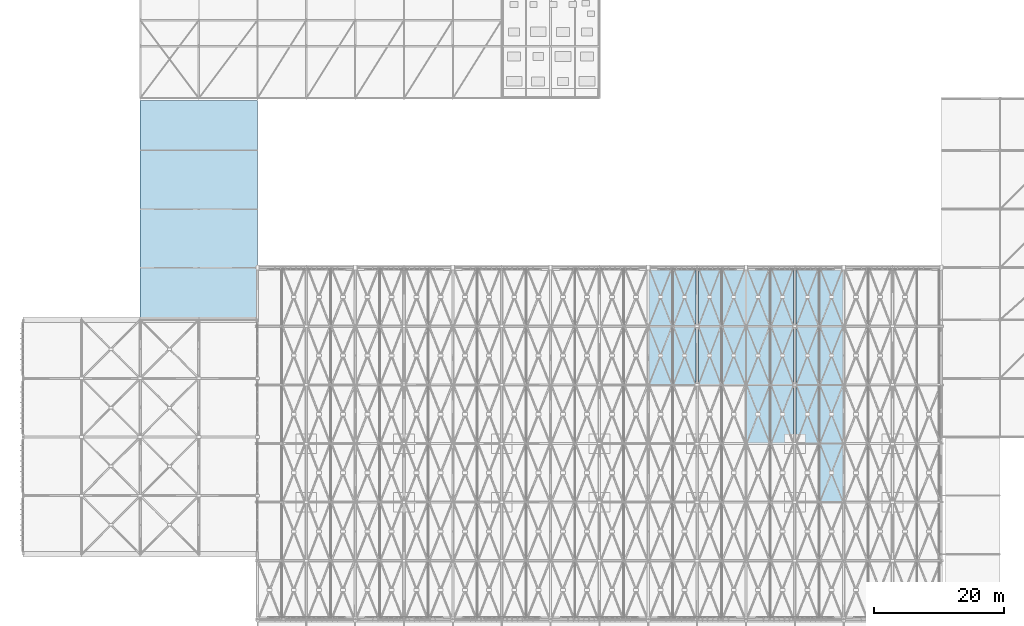
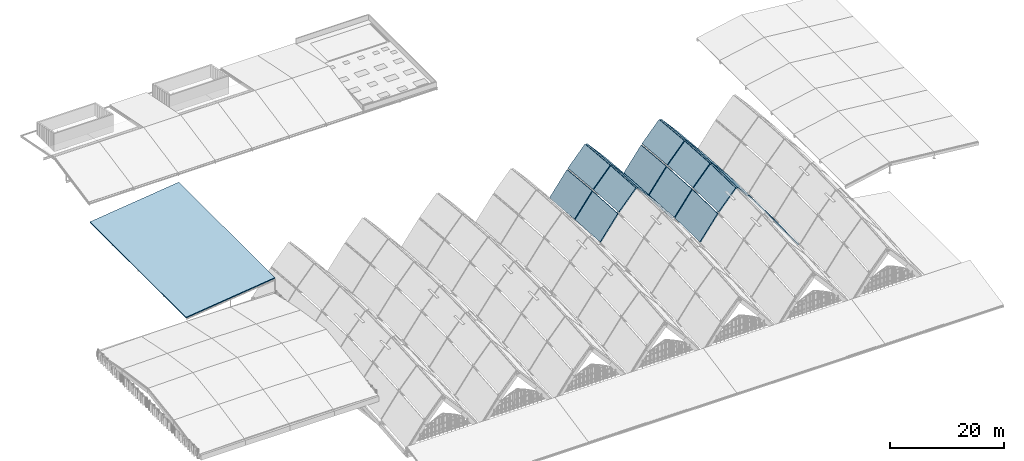
# One storey, part 61 of 93: 22 slabs, 1 element without a shape of its own.
"""IFC4 building model written with IfcOpenShell, lengths in metres."""

from ifc_helpers import new_model, si_unit, direction, frame, origin, place, context, subcontext, project, spatial, polyline, outline, extrude, material, layer, layer_set, type_object, element, aggregate, save


model = new_model("IFC4")

# Units and contexts
model_context = context("Model", 3, precision=1e-05, world=origin(), true_north=direction((0.0, 1.0)))
body_context = subcontext(model_context, "Body", "Model", "MODEL_VIEW")
ifc_project = project(units=[si_unit("LENGTHUNIT", "METRE"), si_unit("AREAUNIT", "SQUARE_METRE"), si_unit("VOLUMEUNIT", "CUBIC_METRE"), si_unit("PLANEANGLEUNIT", "RADIAN"), si_unit("MASSUNIT", "GRAM", prefix="KILO")], contexts=[model_context])

# Site, building, storey
site_placement = place(None, origin())
site = spatial("IfcSite", under=ifc_project, at=site_placement, CompositionType="ELEMENT")
building_placement = place(site_placement, origin())
building = spatial("IfcBuilding", under=site, at=building_placement, Name="Vourika Railside Aquatics Centre", CompositionType="ELEMENT")
storey_placement = place(building_placement, frame((0.0, 0.0, 21.89990234375)))
storey = spatial("IfcBuildingStorey", under=building, at=storey_placement, Name="Roof", CompositionType="ELEMENT", Elevation=21.89990234375)

# Slab
ifc_material_1 = material(Name="Concrete C35/45", Category="concrete")
ifc_layer_1 = layer(ifc_material_1, 0.205078125, Name="SLB-ROOF-NLT205")
ifc_layer_set_1 = layer_set([ifc_layer_1], Name="Concrete C35/45")
slab_type_1 = type_object("IfcSlabType", Name="SLB-ROOF-NLT205", PredefinedType="ROOF", material=ifc_layer_set_1)
slab_1_placement = place(storey_placement, frame((18.0, 58.0, -4.02001953125), z_axis=(-0.121330041965, 0.0, 0.992612220818), x_axis=(0.992612220818, 0.0, 0.121330041965)))
element("IfcSlab", 1, at=slab_1_placement, inside=storey, type_object=slab_type_1, Name="West Link Wing Pitched Roof Slab", PredefinedType="ROOF", context=body_context, shape_type="SweptSolid", body=[
    extrude(outline(polyline([(0.0, 0.0), (18.133969764316554, 0.0), (18.133969764316554, 33.699951171875), (0.0, 33.699951171875), (0.0, 0.0)])), origin(), (0.0, 0.0, -1.0), 0.205078125),
])

# Roof, slabs
ifc_material_2 = material(Name="Glulam GL32h", Category="wood")
ifc_layer_2 = layer(ifc_material_2, 0.239990234375, Name="ROOF-VAULT-SYS")
ifc_layer_set_2 = layer_set([ifc_layer_2], Name="Glulam GL32h")
roof_type = type_object("IfcRoofType", Name="ROOF-VAULT-SYS", PredefinedType="BARREL_ROOF", material=ifc_layer_set_2)
roof_placement = place(storey_placement, origin())
roof = element("IfcRoof", 2, at=roof_placement, inside=storey, type_object=roof_type, Name="Pointed Glulam Gridshell Vault Roof Assembly", PredefinedType="BARREL_ROOF")
ifc_material_3 = material(Name="Glulam GL28h", Category="wood")
ifc_layer_3 = layer(ifc_material_3, 0.239990234375, Name="SLB-ROOF-VLT240")
ifc_layer_set_3 = layer_set([ifc_layer_3], Name="Glulam GL28h")
slab_type_2 = type_object("IfcSlabType", Name="SLB-ROOF-VLT240", PredefinedType="ROOF", material=ifc_layer_set_3)
slab_2_placement = place(storey_placement, frame((96.094970703125, 48.094970703125, -9.239501953125), z_axis=(-0.805045258731, 0.038533374909, 0.591960564914), x_axis=(0.592400532663, 0.0, 0.80564359918)))
slab_2 = element("IfcSlab", 3, at=slab_2_placement, type_object=slab_type_2, Name="Bay 5 Pointed Timber Roof Deck Panel 113", PredefinedType="ROOF", context=body_context, shape_type="SweptSolid", body=[
    extrude(outline(polyline([(0.0, 0.0), (6.009546577793309, 0.0), (5.5475209883219945, 8.816606566504385), (-0.46202558947131417, 8.816606566504385), (0.0, 0.0)])), origin(), (0.0, 0.0, -1.0), 0.239990234375),
])
slab_3_placement = place(storey_placement, frame((99.844970703125, 48.094970703125, -4.159912109375), z_axis=(-0.752980078638, 0.042744533256, 0.656653566236), x_axis=(0.657254273789, 0.0, 0.753668905811)))
slab_3 = element("IfcSlab", 4, at=slab_3_placement, type_object=slab_type_2, Name="Bay 5 Pointed Timber Roof Deck Panel 114", PredefinedType="ROOF", context=body_context, shape_type="SweptSolid", body=[
    extrude(outline(polyline([(0.0, 0.0), (5.2568363003320515, 2.7755575615628914e-17), (4.824617486916384, 8.81811804702024), (-0.43221881341566754, 8.81811804702024), (0.0, 0.0)])), origin(), (0.0, 0.0, -1.0), 0.239990234375),
])
slab_4_placement = place(storey_placement, frame((103.699951171875, 48.094970703125, -0.197998046875), z_axis=(0.752980078638, 0.042744533256, 0.656653566236), x_axis=(0.657254273789, 0.0, -0.753668905811)))
slab_4 = element("IfcSlab", 5, at=slab_4_placement, type_object=slab_type_2, Name="Bay 5 Pointed Timber Roof Deck Panel 115", PredefinedType="ROOF", context=body_context, shape_type="SweptSolid", body=[
    extrude(outline(polyline([(0.0, 0.0), (5.2568363003320515, -2.7755575615628914e-17), (5.6890551137477186, 8.81811804702024), (0.43221881341566754, 8.81811804702024), (0.0, 0.0)])), origin(), (0.0, 0.0, -1.0), 0.239990234375),
])
slab_5_placement = place(storey_placement, frame((107.344970703125, 48.094970703125, -4.39794921875), z_axis=(0.805045258731, 0.038533374909, 0.591960564914), x_axis=(0.592400532663, 0.0, -0.80564359918)))
slab_5 = element("IfcSlab", 6, at=slab_5_placement, type_object=slab_type_2, Name="Bay 5 Pointed Timber Roof Deck Panel 116", PredefinedType="ROOF", context=body_context, shape_type="SweptSolid", body=[
    extrude(outline(polyline([(0.0, 0.0), (6.009546577793309, 0.0), (6.471572167264624, 8.816606566504385), (0.46202558947131417, 8.816606566504385), (0.0, 0.0)])), origin(), (0.0, 0.0, -1.0), 0.239990234375),
])
slab_6_placement = place(storey_placement, frame((96.094970703125, 57.094970703125, -9.828369140625), z_axis=(-0.80452801332, 0.05260713157, 0.591580227434), x_axis=(0.592400532663, 0.0, 0.80564359918)))
slab_6 = element("IfcSlab", 7, at=slab_6_placement, type_object=slab_type_2, Name="Bay 5 Pointed Timber Roof Deck Panel 117", PredefinedType="ROOF", context=body_context, shape_type="SweptSolid", body=[
    extrude(outline(polyline([(0.0, 0.0), (6.009546577793309, 0.0), (5.378367302947226, 8.822274920128496), (-0.6311792748460823, 8.822274920128496), (0.0, 0.0)])), origin(), (0.0, 0.0, -1.0), 0.239990234375),
])
slab_7_placement = place(storey_placement, frame((99.844970703125, 57.094970703125, -4.74853515625), z_axis=(-0.752364776824, 0.058349751553, 0.656157411821), x_axis=(0.657277279678, 0.0, 0.753648842379)))
slab_7 = element("IfcSlab", 8, at=slab_7_placement, type_object=slab_type_2, Name="Bay 5 Pointed Timber Roof Deck Panel 118", PredefinedType="ROOF", context=body_context, shape_type="SweptSolid", body=[
    extrude(outline(polyline([(0.0, 0.0), (5.2566523015834505, 0.0), (4.666208176780515, 8.825094774494449), (-0.5904441248029355, 8.825094774494449), (0.0, 0.0)])), origin(), (0.0, 0.0, -1.0), 0.239990234375),
])
slab_8_placement = place(storey_placement, frame((103.699951171875, 57.094970703125, -0.786865234375), z_axis=(0.752364776824, 0.058349751553, 0.656157411821), x_axis=(0.657277279678, 0.0, -0.753648842379)))
slab_8 = element("IfcSlab", 9, at=slab_8_placement, type_object=slab_type_2, Name="Bay 5 Pointed Timber Roof Deck Panel 119", PredefinedType="ROOF", context=body_context, shape_type="SweptSolid", body=[
    extrude(outline(polyline([(0.0, 0.0), (5.2566523015834505, 0.0), (5.847096426386386, 8.825094774494447), (0.5904441248029355, 8.825094774494449), (0.0, 0.0)])), origin(), (0.0, 0.0, -1.0), 0.239990234375),
])
slab_9_placement = place(storey_placement, frame((107.344970703125, 57.094970703125, -4.98681640625), z_axis=(0.80452801332, 0.05260713157, 0.591580227434), x_axis=(0.592400532663, 0.0, -0.80564359918)))
slab_9 = element("IfcSlab", 10, at=slab_9_placement, type_object=slab_type_2, Name="Bay 5 Pointed Timber Roof Deck Panel 120", PredefinedType="ROOF", context=body_context, shape_type="SweptSolid", body=[
    extrude(outline(polyline([(0.0, 0.0), (6.009546577793309, 0.0), (6.640725852639392, 8.822274920128496), (0.6311792748460823, 8.822274920128496), (0.0, 0.0)])), origin(), (0.0, 0.0, -1.0), 0.239990234375),
])
slab_10_placement = place(storey_placement, frame((122.344970703125, 30.094970703125, -4.38916015625), z_axis=(0.805563320848, -0.014116657222, 0.59234150293), x_axis=(0.592400532663, 0.0, -0.80564359918)))
slab_10 = element("IfcSlab", 11, at=slab_10_placement, type_object=slab_type_2, Name="Bay 6 Pointed Timber Roof Deck Panel 132", PredefinedType="ROOF", context=body_context, shape_type="SweptSolid", body=[
    extrude(outline(polyline([(0.0, 0.0), (6.009546577793309, 0.0), (5.84039289241854, 8.810936559260217), (-0.16915368537476808, 8.810936559260217), (0.0, 0.0)])), origin(), (0.0, 0.0, -1.0), 0.239990234375),
])
slab_11_placement = place(storey_placement, frame((111.094970703125, 39.094970703125, -9.020751953125), z_axis=(-0.805563320848, 0.014116657222, 0.59234150293), x_axis=(0.592400532663, 0.0, 0.80564359918)))
slab_11 = element("IfcSlab", 12, at=slab_11_placement, type_object=slab_type_2, Name="Bay 6 Pointed Timber Roof Deck Panel 133", PredefinedType="ROOF", context=body_context, shape_type="SweptSolid", body=[
    extrude(outline(polyline([(0.0, 0.0), (6.009546577793309, 0.0), (5.84039289241854, 8.810936559260217), (-0.16915368537476808, 8.810936559260217), (0.0, 0.0)])), origin(), (0.0, 0.0, -1.0), 0.239990234375),
])
slab_12_placement = place(storey_placement, frame((114.844970703125, 39.094970703125, -3.94091796875), z_axis=(-0.753556399006, 0.015662282473, 0.657196657345), x_axis=(0.657277279678, 0.0, 0.753648842379)))
slab_12 = element("IfcSlab", 13, at=slab_12_placement, type_object=slab_type_2, Name="Bay 6 Pointed Timber Roof Deck Panel 134", PredefinedType="ROOF", context=body_context, shape_type="SweptSolid", body=[
    extrude(outline(polyline([(0.0, 0.0), (5.25665230158345, 6.938893903907228e-18), (5.098415484091856, 8.811139377525148), (-0.15823681749159377, 8.811139377525146), (0.0, 0.0)])), origin(), (0.0, 0.0, -1.0), 0.239990234375),
])
slab_13_placement = place(storey_placement, frame((118.699951171875, 39.094970703125, 0.020751953125), z_axis=(0.753556399006, 0.015662282473, 0.657196657345), x_axis=(0.657277279678, 0.0, -0.753648842379)))
slab_13 = element("IfcSlab", 14, at=slab_13_placement, type_object=slab_type_2, Name="Bay 6 Pointed Timber Roof Deck Panel 135", PredefinedType="ROOF", context=body_context, shape_type="SweptSolid", body=[
    extrude(outline(polyline([(0.0, 0.0), (5.25665230158345, -6.938893903907228e-18), (5.414889119075044, 8.811139377525146), (0.15823681749159377, 8.811139377525146), (0.0, 0.0)])), origin(), (0.0, 0.0, -1.0), 0.239990234375),
])
slab_14_placement = place(storey_placement, frame((122.344970703125, 39.094970703125, -4.17919921875), z_axis=(0.805563320848, 0.014116657222, 0.59234150293), x_axis=(0.592400532663, 0.0, -0.80564359918)))
slab_14 = element("IfcSlab", 15, at=slab_14_placement, type_object=slab_type_2, Name="Bay 6 Pointed Timber Roof Deck Panel 136", PredefinedType="ROOF", context=body_context, shape_type="SweptSolid", body=[
    extrude(outline(polyline([(0.0, 0.0), (6.009546577793309, 0.0), (6.178700263168077, 8.810936559260217), (0.16915368537476808, 8.810936559260217), (0.0, 0.0)])), origin(), (0.0, 0.0, -1.0), 0.239990234375),
])
slab_15_placement = place(storey_placement, frame((111.094970703125, 48.094970703125, -9.239501953125), z_axis=(-0.805045258731, 0.038533374909, 0.591960564914), x_axis=(0.592400532663, 0.0, 0.80564359918)))
slab_15 = element("IfcSlab", 16, at=slab_15_placement, type_object=slab_type_2, Name="Bay 6 Pointed Timber Roof Deck Panel 137", PredefinedType="ROOF", context=body_context, shape_type="SweptSolid", body=[
    extrude(outline(polyline([(0.0, 0.0), (6.009546577793309, 0.0), (5.5475209883219945, 8.816606566504385), (-0.46202558947131417, 8.816606566504385), (0.0, 0.0)])), origin(), (0.0, 0.0, -1.0), 0.239990234375),
])
slab_16_placement = place(storey_placement, frame((114.844970703125, 48.094970703125, -4.159912109375), z_axis=(-0.752980078638, 0.042744533256, 0.656653566236), x_axis=(0.657254273789, 0.0, 0.753668905811)))
slab_16 = element("IfcSlab", 17, at=slab_16_placement, type_object=slab_type_2, Name="Bay 6 Pointed Timber Roof Deck Panel 138", PredefinedType="ROOF", context=body_context, shape_type="SweptSolid", body=[
    extrude(outline(polyline([(0.0, 0.0), (5.2568363003320515, 2.7755575615628914e-17), (4.824617486916384, 8.81811804702024), (-0.43221881341566754, 8.81811804702024), (0.0, 0.0)])), origin(), (0.0, 0.0, -1.0), 0.239990234375),
])
slab_17_placement = place(storey_placement, frame((118.699951171875, 48.094970703125, -0.197998046875), z_axis=(0.752980078638, 0.042744533256, 0.656653566236), x_axis=(0.657254273789, 0.0, -0.753668905811)))
slab_17 = element("IfcSlab", 18, at=slab_17_placement, type_object=slab_type_2, Name="Bay 6 Pointed Timber Roof Deck Panel 139", PredefinedType="ROOF", context=body_context, shape_type="SweptSolid", body=[
    extrude(outline(polyline([(0.0, 0.0), (5.2568363003320515, -2.7755575615628914e-17), (5.6890551137477186, 8.81811804702024), (0.43221881341566754, 8.81811804702024), (0.0, 0.0)])), origin(), (0.0, 0.0, -1.0), 0.239990234375),
])
slab_18_placement = place(storey_placement, frame((122.344970703125, 48.094970703125, -4.39794921875), z_axis=(0.805045258731, 0.038533374909, 0.591960564914), x_axis=(0.592400532663, 0.0, -0.80564359918)))
slab_18 = element("IfcSlab", 19, at=slab_18_placement, type_object=slab_type_2, Name="Bay 6 Pointed Timber Roof Deck Panel 140", PredefinedType="ROOF", context=body_context, shape_type="SweptSolid", body=[
    extrude(outline(polyline([(0.0, 0.0), (6.009546577793309, 0.0), (6.471572167264624, 8.816606566504385), (0.46202558947131417, 8.816606566504385), (0.0, 0.0)])), origin(), (0.0, 0.0, -1.0), 0.239990234375),
])
slab_19_placement = place(storey_placement, frame((111.094970703125, 57.094970703125, -9.828369140625), z_axis=(-0.80452801332, 0.05260713157, 0.591580227434), x_axis=(0.592400532663, 0.0, 0.80564359918)))
slab_19 = element("IfcSlab", 20, at=slab_19_placement, type_object=slab_type_2, Name="Bay 6 Pointed Timber Roof Deck Panel 141", PredefinedType="ROOF", context=body_context, shape_type="SweptSolid", body=[
    extrude(outline(polyline([(0.0, 0.0), (6.009546577793309, 0.0), (5.378367302947226, 8.822274920128496), (-0.6311792748460823, 8.822274920128496), (0.0, 0.0)])), origin(), (0.0, 0.0, -1.0), 0.239990234375),
])
slab_20_placement = place(storey_placement, frame((114.844970703125, 57.094970703125, -4.74853515625), z_axis=(-0.752364776824, 0.058349751553, 0.656157411821), x_axis=(0.657277279678, 0.0, 0.753648842379)))
slab_20 = element("IfcSlab", 21, at=slab_20_placement, type_object=slab_type_2, Name="Bay 6 Pointed Timber Roof Deck Panel 142", PredefinedType="ROOF", context=body_context, shape_type="SweptSolid", body=[
    extrude(outline(polyline([(0.0, 0.0), (5.2566523015834505, 0.0), (4.666208176780515, 8.825094774494449), (-0.5904441248029355, 8.825094774494449), (0.0, 0.0)])), origin(), (0.0, 0.0, -1.0), 0.239990234375),
])
slab_21_placement = place(storey_placement, frame((118.699951171875, 57.094970703125, -0.786865234375), z_axis=(0.752364776824, 0.058349751553, 0.656157411821), x_axis=(0.657277279678, 0.0, -0.753648842379)))
slab_21 = element("IfcSlab", 22, at=slab_21_placement, type_object=slab_type_2, Name="Bay 6 Pointed Timber Roof Deck Panel 143", PredefinedType="ROOF", context=body_context, shape_type="SweptSolid", body=[
    extrude(outline(polyline([(0.0, 0.0), (5.2566523015834505, 0.0), (5.847096426386386, 8.825094774494447), (0.5904441248029355, 8.825094774494449), (0.0, 0.0)])), origin(), (0.0, 0.0, -1.0), 0.239990234375),
])
slab_22_placement = place(storey_placement, frame((122.344970703125, 57.094970703125, -4.98681640625), z_axis=(0.80452801332, 0.05260713157, 0.591580227434), x_axis=(0.592400532663, 0.0, -0.80564359918)))
slab_22 = element("IfcSlab", 23, at=slab_22_placement, type_object=slab_type_2, Name="Bay 6 Pointed Timber Roof Deck Panel 144", PredefinedType="ROOF", context=body_context, shape_type="SweptSolid", body=[
    extrude(outline(polyline([(0.0, 0.0), (6.009546577793309, 0.0), (6.640725852639392, 8.822274920128496), (0.6311792748460823, 8.822274920128496), (0.0, 0.0)])), origin(), (0.0, 0.0, -1.0), 0.239990234375),
])
aggregate(roof, [slab_2, slab_3, slab_4, slab_5, slab_6, slab_7, slab_8, slab_9, slab_10, slab_11, slab_12, slab_13, slab_14, slab_15, slab_16, slab_17, slab_18, slab_19, slab_20, slab_21, slab_22])

save(model, "model.ifc")
